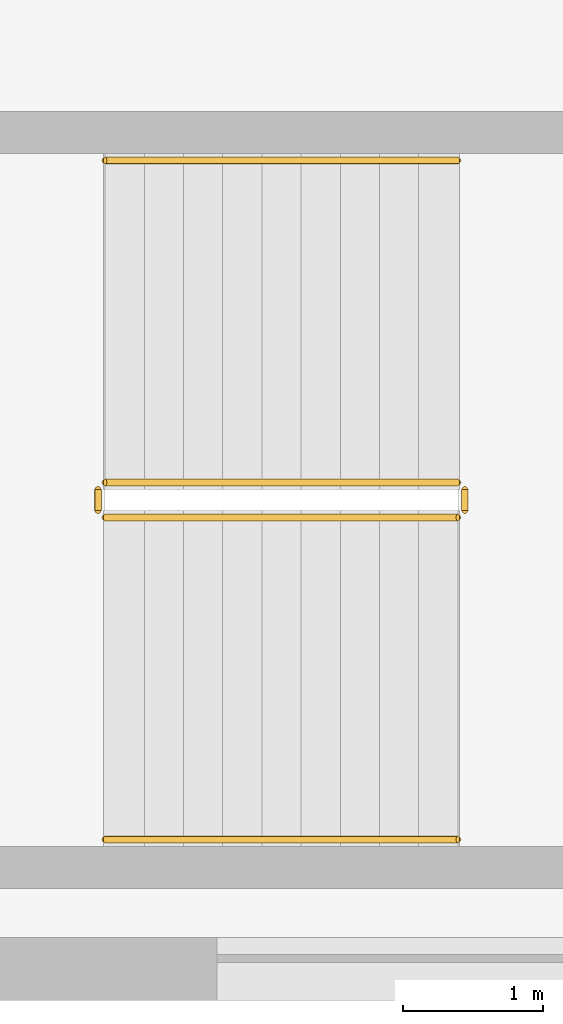
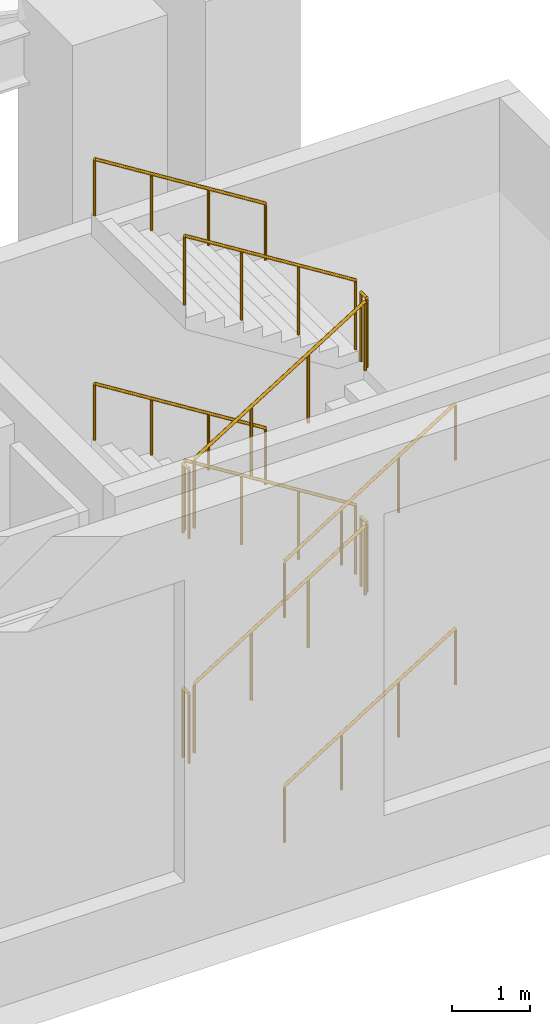
# One storey, part 32 of 41: 12 railings.
"""IFC4 building model written with IfcOpenShell, lengths in metres."""

from ifc_helpers import new_model, si_unit, direction, frame, origin, origin_2d, place, context, subcontext, project, spatial, circle, extrude, material, type_object, element, save


model = new_model("IFC4")

# Units and contexts
model_context = context("Model", 3, precision=1e-05, world=origin(), true_north=direction((0.0, 1.0)))
body_context = subcontext(model_context, "Body", "Model", "MODEL_VIEW")
ifc_project = project(units=[si_unit("LENGTHUNIT", "METRE"), si_unit("AREAUNIT", "SQUARE_METRE"), si_unit("VOLUMEUNIT", "CUBIC_METRE"), si_unit("PLANEANGLEUNIT", "RADIAN"), si_unit("MASSUNIT", "GRAM", prefix="KILO")], contexts=[model_context])

# Site, building, storey
site_placement = place(None, origin())
site = spatial("IfcSite", under=ifc_project, at=site_placement, CompositionType="ELEMENT")
building_placement = place(site_placement, origin())
building = spatial("IfcBuilding", under=site, at=building_placement, Name="Wharfspan Tower", CompositionType="ELEMENT")
storey_placement = place(building_placement, frame((0.0, 0.0, 8.0)))
storey = spatial("IfcBuildingStorey", under=building, at=storey_placement, Name="L01", CompositionType="ELEMENT", Elevation=8.0)

# Railings
ifc_material = material(Name="Steel S355J2", Category="steel")
railing_type_1 = type_object("IfcRailingType", Name="Podium guard 1100", PredefinedType="GUARDRAIL", material=ifc_material)
railing_1_placement = place(storey_placement, frame((43.699951, -28.550049, 0.175049)))
element("IfcRailing", 1, at=railing_1_placement, inside=storey, type_object=railing_type_1, Name="L01 AS5 stair guard 1", PredefinedType="GUARDRAIL", context=body_context, shape_type="SweptSolid", body=[
    extrude(circle(Radius=0.023926, at=origin_2d()), frame((0.0, 0.0, 1.076172), z_axis=(0.848008, 0.0, 0.529984), x_axis=(0.0, 1.0, 0.0)), (0.0, 0.0, 1.0), 2.97168),
    extrude(circle(Radius=0.020996, at=origin_2d()), origin(), (0.0, 0.0, 1.0), 1.052002),
    extrude(circle(Radius=0.020996, at=origin_2d()), frame((0.840088, 0.0, 0.524902)), (0.0, 0.0, 1.0), 1.052002),
    extrude(circle(Radius=0.020996, at=origin_2d()), frame((1.679932, 0.0, 1.050049)), (0.0, 0.0, 1.0), 1.052002),
    extrude(circle(Radius=0.020996, at=origin_2d()), frame((2.52002, 0.0, 1.574951)), (0.0, 0.0, 1.0), 1.052002),
])
railing_2_placement = place(storey_placement, frame((46.27002, -28.5, 1.75)))
element("IfcRailing", 2, at=railing_2_placement, inside=storey, type_object=railing_type_1, Name="L01 AS5 stair guard 2", PredefinedType="GUARDRAIL", context=body_context, shape_type="SweptSolid", body=[
    extrude(circle(Radius=0.023926, at=origin_2d()), frame((0.0, 0.0, 1.076172), z_axis=(0.0, 1.0, 0.0), x_axis=(-1.0, 0.0, 0.0)), (0.0, 0.0, 1.0), 0.149902),
    extrude(circle(Radius=0.020996, at=origin_2d()), origin(), (0.0, 0.0, 1.0), 1.052002),
    extrude(circle(Radius=0.020996, at=origin_2d()), frame((0.0, 0.149902, 0.0)), (0.0, 0.0, 1.0), 1.052002),
])
railing_3_placement = place(storey_placement, frame((46.219971, -28.300049, 1.925049)))
element("IfcRailing", 3, at=railing_3_placement, inside=storey, type_object=railing_type_1, Name="L01 AS5 stair guard 3", PredefinedType="GUARDRAIL", context=body_context, shape_type="SweptSolid", body=[
    extrude(circle(Radius=0.023926, at=origin_2d()), frame((0.0, 0.0, 1.076172), z_axis=(-0.848008, 0.0, 0.529984), x_axis=(0.0, -1.0, 0.0)), (0.0, 0.0, 1.0), 2.97168),
    extrude(circle(Radius=0.020996, at=origin_2d()), origin(), (0.0, 0.0, 1.0), 1.052002),
    extrude(circle(Radius=0.020996, at=origin_2d()), frame((-0.840088, 0.0, 0.524902)), (0.0, 0.0, 1.0), 1.052002),
    extrude(circle(Radius=0.020996, at=origin_2d()), frame((-1.679932, 0.0, 1.050049)), (0.0, 0.0, 1.0), 1.052002),
    extrude(circle(Radius=0.020996, at=origin_2d()), frame((-2.52002, 0.0, 1.574951)), (0.0, 0.0, 1.0), 1.052002),
])
railing_4_placement = place(storey_placement, frame((43.649902, -28.5, 3.5)))
element("IfcRailing", 4, at=railing_4_placement, inside=storey, type_object=railing_type_1, Name="L01 AS5 stair guard 4", PredefinedType="GUARDRAIL", context=body_context, shape_type="SweptSolid", body=[
    extrude(circle(Radius=0.023926, at=origin_2d()), frame((0.0, 0.0, 1.076172), z_axis=(0.0, 1.0, 0.0), x_axis=(-1.0, 0.0, 0.0)), (0.0, 0.0, 1.0), 0.149902),
    extrude(circle(Radius=0.020996, at=origin_2d()), origin(), (0.0, 0.0, 1.0), 1.052002),
    extrude(circle(Radius=0.020996, at=origin_2d()), frame((0.0, 0.149902, 0.0)), (0.0, 0.0, 1.0), 1.052002),
])
railing_5_placement = place(storey_placement, frame((43.699951, -28.550049, 3.675049)))
element("IfcRailing", 5, at=railing_5_placement, inside=storey, type_object=railing_type_1, Name="L01 AS5 stair guard 5", PredefinedType="GUARDRAIL", context=body_context, shape_type="SweptSolid", body=[
    extrude(circle(Radius=0.023926, at=origin_2d()), frame((0.0, 0.0, 1.076172), z_axis=(0.848008, 0.0, 0.529984), x_axis=(0.0, 1.0, 0.0)), (0.0, 0.0, 1.0), 2.97168),
    extrude(circle(Radius=0.020996, at=origin_2d()), origin(), (0.0, 0.0, 1.0), 1.052002),
    extrude(circle(Radius=0.020996, at=origin_2d()), frame((0.840088, 0.0, 0.524902)), (0.0, 0.0, 1.0), 1.052002),
    extrude(circle(Radius=0.020996, at=origin_2d()), frame((1.679932, 0.0, 1.050049)), (0.0, 0.0, 1.0), 1.052002),
    extrude(circle(Radius=0.020996, at=origin_2d()), frame((2.52002, 0.0, 1.574951)), (0.0, 0.0, 1.0), 1.052002),
])
railing_6_placement = place(storey_placement, frame((46.27002, -28.5, 5.25)))
element("IfcRailing", 6, at=railing_6_placement, inside=storey, type_object=railing_type_1, Name="L01 AS5 stair guard 6", PredefinedType="GUARDRAIL", context=body_context, shape_type="SweptSolid", body=[
    extrude(circle(Radius=0.023926, at=origin_2d()), frame((0.0, 0.0, 1.076172), z_axis=(0.0, 1.0, 0.0), x_axis=(-1.0, 0.0, 0.0)), (0.0, 0.0, 1.0), 0.149902),
    extrude(circle(Radius=0.020996, at=origin_2d()), origin(), (0.0, 0.0, 1.0), 1.052002),
    extrude(circle(Radius=0.020996, at=origin_2d()), frame((0.0, 0.149902, 0.0)), (0.0, 0.0, 1.0), 1.052002),
])
railing_7_placement = place(storey_placement, frame((46.219971, -28.300049, 5.425049)))
element("IfcRailing", 7, at=railing_7_placement, inside=storey, type_object=railing_type_1, Name="L01 AS5 stair guard 7", PredefinedType="GUARDRAIL", context=body_context, shape_type="SweptSolid", body=[
    extrude(circle(Radius=0.023926, at=origin_2d()), frame((0.0, 0.0, 1.076172), z_axis=(-0.848008, 0.0, 0.529984), x_axis=(0.0, -1.0, 0.0)), (0.0, 0.0, 1.0), 2.97168),
    extrude(circle(Radius=0.020996, at=origin_2d()), origin(), (0.0, 0.0, 1.0), 1.052002),
    extrude(circle(Radius=0.020996, at=origin_2d()), frame((-0.840088, 0.0, 0.524902)), (0.0, 0.0, 1.0), 1.052002),
    extrude(circle(Radius=0.020996, at=origin_2d()), frame((-1.679932, 0.0, 1.050049)), (0.0, 0.0, 1.0), 1.052002),
    extrude(circle(Radius=0.020996, at=origin_2d()), frame((-2.52002, 0.0, 1.574951)), (0.0, 0.0, 1.0), 1.052002),
])
railing_8_placement = place(storey_placement, frame((43.649902, -28.5, 0.0)))
element("IfcRailing", 8, at=railing_8_placement, inside=storey, type_object=railing_type_1, Name="L01 AS5 stair guard 8", PredefinedType="GUARDRAIL", context=body_context, shape_type="SweptSolid", body=[
    extrude(circle(Radius=0.023926, at=origin_2d()), frame((0.0, 0.0, 1.076172), z_axis=(0.0, 1.0, 0.0), x_axis=(-1.0, 0.0, 0.0)), (0.0, 0.0, 1.0), 0.149902),
    extrude(circle(Radius=0.020996, at=origin_2d()), origin(), (0.0, 0.0, 1.0), 1.052002),
    extrude(circle(Radius=0.020996, at=origin_2d()), frame((0.0, 0.149902, 0.0)), (0.0, 0.0, 1.0), 1.052002),
])
railing_type_2 = type_object("IfcRailingType", Name="Podium stair handrail 900", PredefinedType="HANDRAIL", material=ifc_material)
railing_9_placement = place(storey_placement, frame((43.699951, -30.850098, 0.175049)))
element("IfcRailing", 9, at=railing_9_placement, inside=storey, type_object=railing_type_2, Name="L01 AS5 stair handrail 1", PredefinedType="HANDRAIL", context=body_context, shape_type="SweptSolid", body=[
    extrude(circle(Radius=0.023926, at=origin_2d()), frame((0.0, 0.0, 0.875977), z_axis=(0.848008, 0.0, 0.529984), x_axis=(0.0, 1.0, 0.0)), (0.0, 0.0, 1.0), 2.97168),
    extrude(circle(Radius=0.020996, at=origin_2d()), origin(), (0.0, 0.0, 1.0), 0.851807),
    extrude(circle(Radius=0.020996, at=origin_2d()), frame((0.840088, 0.0, 0.524902)), (0.0, 0.0, 1.0), 0.851807),
    extrude(circle(Radius=0.020996, at=origin_2d()), frame((1.679932, 0.0, 1.050049)), (0.0, 0.0, 1.0), 0.851807),
    extrude(circle(Radius=0.020996, at=origin_2d()), frame((2.52002, 0.0, 1.574951)), (0.0, 0.0, 1.0), 0.851807),
])
railing_10_placement = place(storey_placement, frame((46.219971, -26.0, 1.925049)))
element("IfcRailing", 10, at=railing_10_placement, inside=storey, type_object=railing_type_2, Name="L01 AS5 stair handrail 2", PredefinedType="HANDRAIL", context=body_context, shape_type="SweptSolid", body=[
    extrude(circle(Radius=0.023926, at=origin_2d()), frame((0.0, 0.0, 0.875977), z_axis=(-0.848008, 0.0, 0.529984), x_axis=(0.0, -1.0, 0.0)), (0.0, 0.0, 1.0), 2.97168),
    extrude(circle(Radius=0.020996, at=origin_2d()), origin(), (0.0, 0.0, 1.0), 0.851807),
    extrude(circle(Radius=0.020996, at=origin_2d()), frame((-0.840088, 0.0, 0.524902)), (0.0, 0.0, 1.0), 0.851807),
    extrude(circle(Radius=0.020996, at=origin_2d()), frame((-1.679932, 0.0, 1.050049)), (0.0, 0.0, 1.0), 0.851807),
    extrude(circle(Radius=0.020996, at=origin_2d()), frame((-2.52002, 0.0, 1.574951)), (0.0, 0.0, 1.0), 0.851807),
])
railing_11_placement = place(storey_placement, frame((43.699951, -30.850098, 3.675049)))
element("IfcRailing", 11, at=railing_11_placement, inside=storey, type_object=railing_type_2, Name="L01 AS5 stair handrail 3", PredefinedType="HANDRAIL", context=body_context, shape_type="SweptSolid", body=[
    extrude(circle(Radius=0.023926, at=origin_2d()), frame((0.0, 0.0, 0.875977), z_axis=(0.848008, 0.0, 0.529984), x_axis=(0.0, 1.0, 0.0)), (0.0, 0.0, 1.0), 2.97168),
    extrude(circle(Radius=0.020996, at=origin_2d()), origin(), (0.0, 0.0, 1.0), 0.851807),
    extrude(circle(Radius=0.020996, at=origin_2d()), frame((0.840088, 0.0, 0.524902)), (0.0, 0.0, 1.0), 0.851807),
    extrude(circle(Radius=0.020996, at=origin_2d()), frame((1.679932, 0.0, 1.050049)), (0.0, 0.0, 1.0), 0.851807),
    extrude(circle(Radius=0.020996, at=origin_2d()), frame((2.52002, 0.0, 1.574951)), (0.0, 0.0, 1.0), 0.851807),
])
railing_12_placement = place(storey_placement, frame((46.219971, -26.0, 5.425049)))
element("IfcRailing", 12, at=railing_12_placement, inside=storey, type_object=railing_type_2, Name="L01 AS5 stair handrail 4", PredefinedType="HANDRAIL", context=body_context, shape_type="SweptSolid", body=[
    extrude(circle(Radius=0.023926, at=origin_2d()), frame((0.0, 0.0, 0.875977), z_axis=(-0.848008, 0.0, 0.529984), x_axis=(0.0, -1.0, 0.0)), (0.0, 0.0, 1.0), 2.97168),
    extrude(circle(Radius=0.020996, at=origin_2d()), origin(), (0.0, 0.0, 1.0), 0.851807),
    extrude(circle(Radius=0.020996, at=origin_2d()), frame((-0.840088, 0.0, 0.524902)), (0.0, 0.0, 1.0), 0.851807),
    extrude(circle(Radius=0.020996, at=origin_2d()), frame((-1.679932, 0.0, 1.050049)), (0.0, 0.0, 1.0), 0.851807),
    extrude(circle(Radius=0.020996, at=origin_2d()), frame((-2.52002, 0.0, 1.574951)), (0.0, 0.0, 1.0), 0.851807),
])

save(model, "model.ifc")
